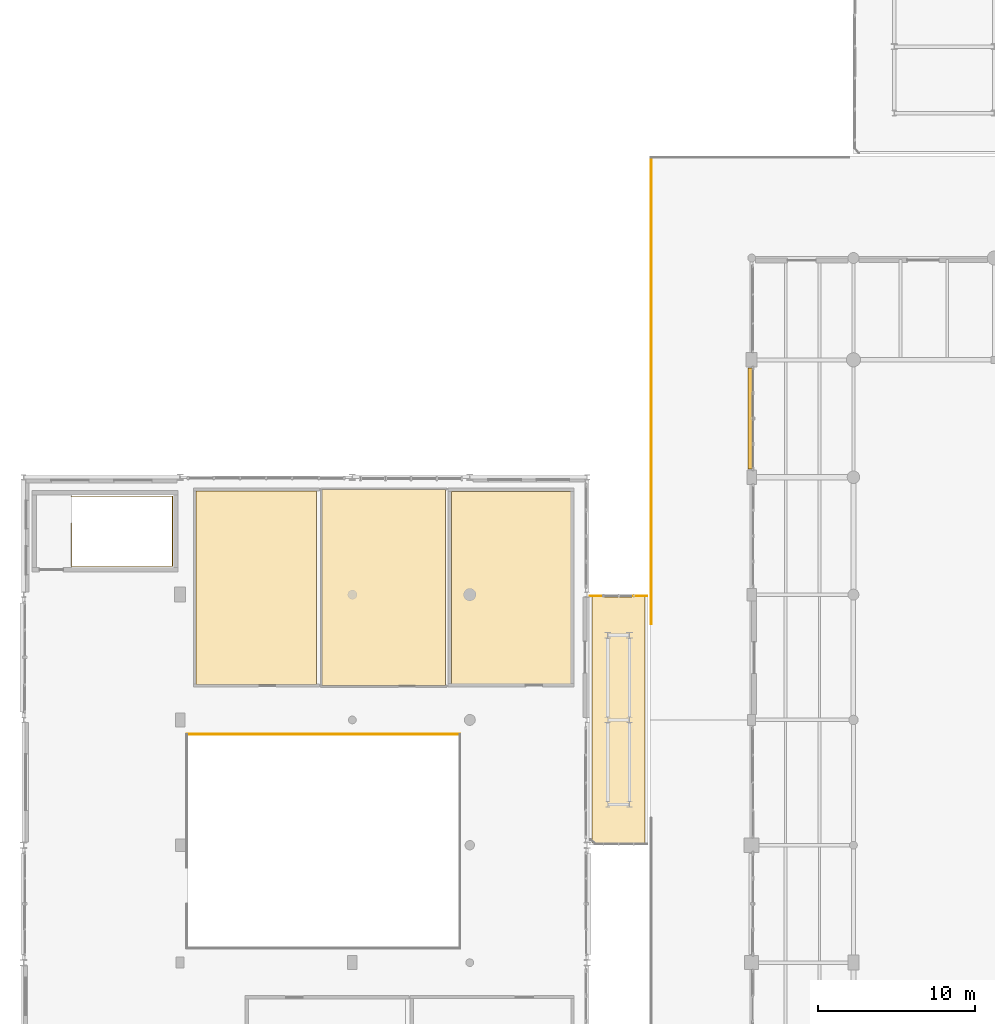
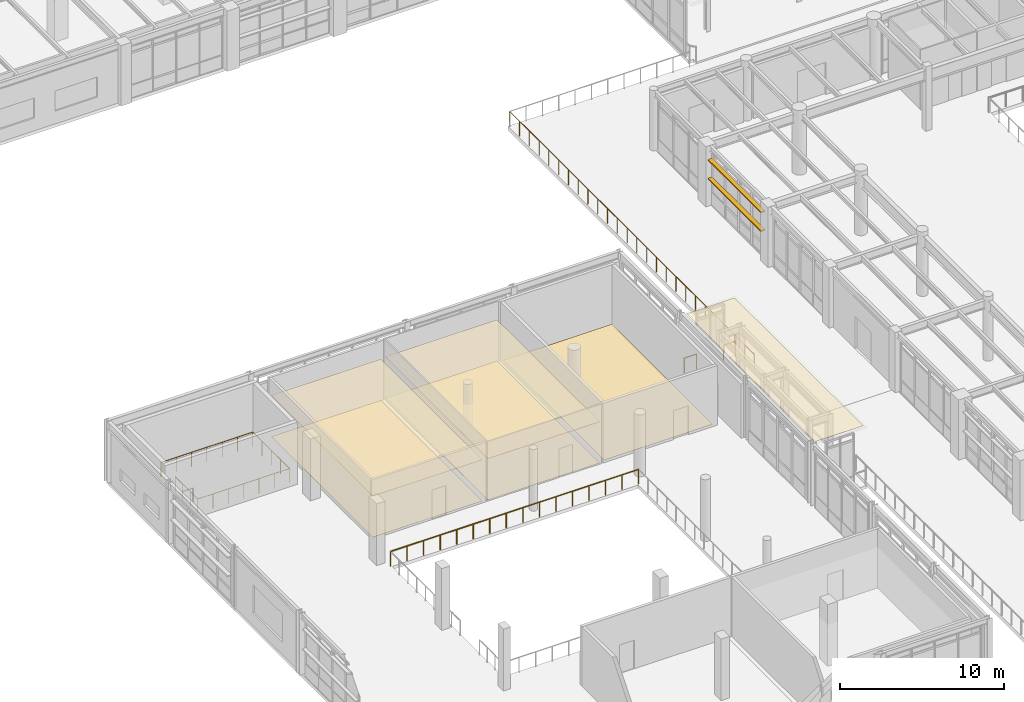
# One storey, part 191 of 200: 6 coverings, 5 railings, 2 shading devices.
"""IFC4 building model written with IfcOpenShell, lengths in metres."""

import ifcopenshell
import ifcopenshell.guid

model = None  # the IFC model being written
_history = None  # IfcOwnerHistory: only IFC2X3 demands one
_inside = {}  # id of a spatial element -> (the spatial element, [elements in it])
_under = {}  # id of a project, library or spatial element -> (it, [spatial elements below it])
_declared = {}  # id of a project -> (the project, [libraries it declares])
_typed = {}  # id of a type object -> (the type object, [elements of that type])
_made_of = {}  # id of a material, layer set ... -> (it, [elements and type objects made of it])


def new_model(schema):
    """Start an empty IFC model of exactly this schema.

    Asked for "IFC4X3", IfcOpenShell would pick the latest addendum, in which some entities
    have other attributes; the version numbers below select the first issue.
    IFC2X3 requires an IfcOwnerHistory on every rooted entity: one is made here for all.
    """
    global model, _history
    if schema == "IFC4X3":
        model = ifcopenshell.file(schema_version=(4, 3, 0, 0))
    else:
        model = ifcopenshell.file(schema=schema)
    _inside.clear()
    _under.clear()
    _declared.clear()
    _typed.clear()
    _made_of.clear()
    _history = None
    if model.schema == "IFC2X3":
        org = make("IfcOrganization", Name="unknown")
        user = make(
            "IfcPersonAndOrganization",
            ThePerson=make("IfcPerson", FamilyName="unknown"),
            TheOrganization=org,
        )
        app = make(
            "IfcApplication",
            ApplicationDeveloper=org,
            Version="unknown",
            ApplicationFullName="unknown",
            ApplicationIdentifier="unknown",
        )
        _history = make(
            "IfcOwnerHistory",
            OwningUser=user,
            OwningApplication=app,
            ChangeAction="ADDED",
            CreationDate=0,
        )
    return model


def make(cls, **values):
    """One entity of the class cls with the attributes given. An attribute that is None is left unset."""
    return model.create_entity(
        cls, **{name: value for name, value in values.items() if value is not None}
    )


def rooted(cls, **values):
    """An entity with a GlobalId (a new one), such as an element, a storey or a relation."""
    return make(cls, GlobalId=ifcopenshell.guid.new(), OwnerHistory=_history, **values)


def si_unit(unit_type, name, prefix=None):
    """IfcSIUnit, for example si_unit("LENGTHUNIT", "METRE", prefix="MILLI")."""
    return make("IfcSIUnit", UnitType=unit_type, Prefix=prefix, Name=name)


def assignment(units):
    """IfcUnitAssignment: the units of a project."""
    return None if units is None else make("IfcUnitAssignment", Units=units)


def point(xyz):
    """IfcCartesianPoint."""
    return None if xyz is None else make("IfcCartesianPoint", Coordinates=xyz)


def direction(xyz):
    """IfcDirection."""
    return None if xyz is None else make("IfcDirection", DirectionRatios=xyz)


def frame(location, z_axis=None, x_axis=None):
    """IfcAxis2Placement3D, a coordinate frame: its origin and axes. An axis left out is left unset."""
    return make(
        "IfcAxis2Placement3D",
        Location=point(location),
        Axis=direction(z_axis),
        RefDirection=direction(x_axis),
    )


def frame_2d(location, x_axis=None):
    """IfcAxis2Placement2D, a coordinate frame in the plane: its origin and x axis."""
    return make(
        "IfcAxis2Placement2D", Location=point(location), RefDirection=direction(x_axis)
    )


def origin():
    """The frame at (0, 0, 0) with its axes left unset."""
    return frame((0.0, 0.0, 0.0))


def origin_2d():
    """The frame at (0, 0) in the plane with its x axis left unset."""
    return frame_2d((0.0, 0.0))


def place(relative_to, where):
    """IfcLocalPlacement: puts the frame where relative to a parent placement (None: the world)."""
    return make(
        "IfcLocalPlacement", PlacementRelTo=relative_to, RelativePlacement=where
    )


def context(
    kind, dimensions, precision=None, world=None, true_north=None, identifier=None
):
    """IfcGeometricRepresentationContext, for example the 3D "Model" context."""
    return make(
        "IfcGeometricRepresentationContext",
        ContextIdentifier=identifier,
        ContextType=kind,
        CoordinateSpaceDimension=dimensions,
        Precision=precision,
        WorldCoordinateSystem=world,
        TrueNorth=true_north,
    )


def subcontext(parent, identifier, kind, view, scale=None):
    """IfcGeometricRepresentationSubContext, for example "Body" below "Model"."""
    return make(
        "IfcGeometricRepresentationSubContext",
        ContextIdentifier=identifier,
        ContextType=kind,
        ParentContext=parent,
        TargetScale=scale,
        TargetView=view,
    )


def project(units=None, contexts=None):
    """IfcProject with its units and contexts."""
    return rooted(
        "IfcProject",
        Name="project",
        RepresentationContexts=contexts,
        UnitsInContext=assignment(units),
    )


def spatial(cls, under=None, at=None, **own):
    """A site, building, storey or space (cls), placed at a placement, below another one or the project."""
    s = rooted(cls, ObjectPlacement=at, **own)
    if under is not None:
        _under.setdefault(under.id(), (under, []))[1].append(s)
    return s


def polyline(points):
    """IfcPolyline through the points."""
    return make("IfcPolyline", Points=[point(p) for p in points])


def profile(cls, at=None, kind="AREA", **sizes):
    """A parametric profile (cls). Its sizes go by their IFC names, for example OverallWidth=200.0."""
    return make(cls, ProfileType=kind, Position=at, **sizes)


def rectangle(**sizes):
    """IfcRectangleProfileDef."""
    return profile("IfcRectangleProfileDef", **sizes)


def circle(**sizes):
    """IfcCircleProfileDef."""
    return profile("IfcCircleProfileDef", **sizes)


def outline(outer, holes=None, kind="AREA"):
    """IfcArbitraryClosedProfileDef: a profile drawn as a closed curve; with holes, ...WithVoids."""
    if holes is None:
        return make("IfcArbitraryClosedProfileDef", ProfileType=kind, OuterCurve=outer)
    return make(
        "IfcArbitraryProfileDefWithVoids",
        ProfileType=kind,
        OuterCurve=outer,
        InnerCurves=holes,
    )


def extrude(swept, where, along, depth):
    """IfcExtrudedAreaSolid: the profile swept, set in the frame where, extruded along a direction by depth."""
    return make(
        "IfcExtrudedAreaSolid",
        SweptArea=swept,
        Position=where,
        ExtrudedDirection=direction(along),
        Depth=depth,
    )


def shape(context_of_items, identifier, shape_type, items):
    """IfcShapeRepresentation: the items that make up one representation, for example the "Body"."""
    return make(
        "IfcShapeRepresentation",
        ContextOfItems=context_of_items,
        RepresentationIdentifier=identifier,
        RepresentationType=shape_type,
        Items=items,
    )


def material(Name=None, Category=None):
    """IfcMaterial."""
    return make("IfcMaterial", Name=Name, Category=Category)


def layer(
    of_material, thickness, ventilated=None, Name=None, Category=None, Priority=None
):
    """IfcMaterialLayer: one layer of a wall or slab, of a material (None: an air gap)."""
    return make(
        "IfcMaterialLayer",
        Material=of_material,
        LayerThickness=thickness,
        IsVentilated=ventilated,
        Name=Name,
        Category=Category,
        Priority=Priority,
    )


def layer_set(layers, Name=None):
    """IfcMaterialLayerSet."""
    return make("IfcMaterialLayerSet", MaterialLayers=layers, LayerSetName=Name)


def made_of(thing, what):
    """Note that an element or type object is made of a material, layer set ...; save() writes the relation."""
    if what is not None:
        _made_of.setdefault(what.id(), (what, []))[1].append(thing)
    return thing


def type_object(cls, material=None, **own):
    """A type object (cls), such as IfcWallType, which elements share."""
    return made_of(rooted(cls, **own), material)


def element(
    cls,
    number,
    at=None,
    inside=None,
    cuts=None,
    type_object=None,
    material=None,
    context=None,
    identifier="Body",
    shape_type=None,
    held_by="IfcProductDefinitionShape",
    body=None,
    shapes=None,
    **own,
):
    """One element of the class cls, such as IfcWall. Its Tag is "e" and its number.

    at: its placement. inside: the storey or other place that contains it. cuts: it is an
    opening in that element (IfcRelVoidsElement). A single representation is given by context,
    identifier, shape_type and body (its items); several are given by shapes. held_by: the class
    of the entity that holds the representations. save() writes the other relations.
    """
    e = rooted(cls, Tag="e%d" % number, ObjectPlacement=at, **own)
    if body is not None:
        shapes = [shape(context, identifier, shape_type, body)]
    if shapes is not None:
        e.Representation = make(held_by, Representations=shapes)
    if inside is not None:
        _inside.setdefault(inside.id(), (inside, []))[1].append(e)
    if cuts is not None:
        rooted(
            "IfcRelVoidsElement", RelatingBuildingElement=cuts, RelatedOpeningElement=e
        )
    if type_object is not None:
        _typed.setdefault(type_object.id(), (type_object, []))[1].append(e)
    return made_of(e, material)


def aggregate(whole, parts):
    """IfcRelAggregates: a whole, such as a stair, and the parts it consists of."""
    return rooted("IfcRelAggregates", RelatingObject=whole, RelatedObjects=parts)


def save(model, path):
    """Write the relations noted so far, then the file.

    IfcRelAggregates (storeys below a building ...), IfcRelContainedInSpatialStructure (elements
    in a storey), IfcRelDefinesByType, IfcRelAssociatesMaterial and IfcRelDeclares: one each for
    every whole, place, type object, material and project.
    """
    for whole, parts in _under.values():
        aggregate(whole, parts)
    for where, things in _inside.values():
        rooted(
            "IfcRelContainedInSpatialStructure",
            RelatedElements=things,
            RelatingStructure=where,
        )
    for kind, things in _typed.values():
        rooted("IfcRelDefinesByType", RelatedObjects=things, RelatingType=kind)
    for what, things in _made_of.values():
        rooted("IfcRelAssociatesMaterial", RelatedObjects=things, RelatingMaterial=what)
    for by, libraries in _declared.values():
        rooted("IfcRelDeclares", RelatingContext=by, RelatedDefinitions=libraries)
    model.write(path)


model = new_model("IFC4")

# Units and contexts
model_context = context("Model", 3, precision=1e-05, world=origin(), true_north=direction((0.0, 1.0)))
body_context = subcontext(model_context, "Body", "Model", "MODEL_VIEW")
ifc_project = project(units=[si_unit("LENGTHUNIT", "METRE"), si_unit("AREAUNIT", "SQUARE_METRE"), si_unit("VOLUMEUNIT", "CUBIC_METRE"), si_unit("PLANEANGLEUNIT", "RADIAN"), si_unit("MASSUNIT", "GRAM", prefix="KILO"), si_unit("THERMODYNAMICTEMPERATUREUNIT", "KELVIN"), si_unit("POWERUNIT", "WATT")], contexts=[model_context])

# Site, building, storey
site_placement = place(None, origin())
site = spatial("IfcSite", under=ifc_project, at=site_placement, CompositionType="ELEMENT")
building_placement = place(site_placement, origin())
building = spatial("IfcBuilding", under=site, at=building_placement, Name="Tepalcoro Natatorium and Aquatics Centre", CompositionType="ELEMENT")
storey_placement = place(building_placement, frame((0.0, 0.0, 5.39990234375)))
storey = spatial("IfcBuildingStorey", under=building, at=storey_placement, Name="L01", CompositionType="ELEMENT", Elevation=5.39990234375)

# Railing
ifc_material_1 = material(Name="Marine-Grade Brushed Stainless Steel AISI 316L", Category="steel")
railing_type_1 = type_object("IfcRailingType", Name="BL_GLASS_1100", PredefinedType="BALUSTRADE", material=ifc_material_1)
railing_1_placement = place(storey_placement, frame((27.8798828125, 35.080078125, 0.0)))
element("IfcRailing", 1, at=railing_1_placement, inside=storey, type_object=railing_type_1, Name="V3 L01 Grand Civic Atrium Mezzanine Balustrade (N)", PredefinedType="BALUSTRADE", context=body_context, shape_type="SweptSolid", body=[
    extrude(circle(Radius=0.02392578125, at=origin_2d()), frame((0.0, 0.0, 1.09619140625), z_axis=(-1.0, 0.0, 0.0), x_axis=(0.0, -1.0, 0.0)), (0.0, 0.0, 1.0), 17.4599609375),
    extrude(circle(Radius=0.02099609375, at=origin_2d()), origin(), (0.0, 0.0, 1.0), 1.072021484375),
    extrude(circle(Radius=0.02099609375, at=origin_2d()), frame((-1.1640625, 0.0, 0.0)), (0.0, 0.0, 1.0), 1.072021484375),
    extrude(circle(Radius=0.02099609375, at=origin_2d()), frame((-2.327880859375, 0.0, 0.0)), (0.0, 0.0, 1.0), 1.072021484375),
    extrude(circle(Radius=0.02099609375, at=origin_2d()), frame((-3.491943359375, 0.0, 0.0)), (0.0, 0.0, 1.0), 1.072021484375),
    extrude(circle(Radius=0.02099609375, at=origin_2d()), frame((-4.656005859375, 0.0, 0.0)), (0.0, 0.0, 1.0), 1.072021484375),
    extrude(circle(Radius=0.02099609375, at=origin_2d()), frame((-5.820068359375, 0.0, 0.0)), (0.0, 0.0, 1.0), 1.072021484375),
    extrude(circle(Radius=0.02099609375, at=origin_2d()), frame((-6.98388671875, 0.0, 0.0)), (0.0, 0.0, 1.0), 1.072021484375),
    extrude(circle(Radius=0.02099609375, at=origin_2d()), frame((-8.14794921875, 0.0, 0.0)), (0.0, 0.0, 1.0), 1.072021484375),
    extrude(circle(Radius=0.02099609375, at=origin_2d()), frame((-9.31201171875, 0.0, 0.0)), (0.0, 0.0, 1.0), 1.072021484375),
    extrude(circle(Radius=0.02099609375, at=origin_2d()), frame((-10.47607421875, 0.0, 0.0)), (0.0, 0.0, 1.0), 1.072021484375),
    extrude(circle(Radius=0.02099609375, at=origin_2d()), frame((-11.639892578125, 0.0, 0.0)), (0.0, 0.0, 1.0), 1.072021484375),
    extrude(circle(Radius=0.02099609375, at=origin_2d()), frame((-12.803955078125, 0.0, 0.0)), (0.0, 0.0, 1.0), 1.072021484375),
    extrude(circle(Radius=0.02099609375, at=origin_2d()), frame((-13.968017578125, 0.0, 0.0)), (0.0, 0.0, 1.0), 1.072021484375),
    extrude(circle(Radius=0.02099609375, at=origin_2d()), frame((-15.132080078125, 0.0, 0.0)), (0.0, 0.0, 1.0), 1.072021484375),
    extrude(circle(Radius=0.02099609375, at=origin_2d()), frame((-16.2958984375, 0.0, 0.0)), (0.0, 0.0, 1.0), 1.072021484375),
    extrude(circle(Radius=0.02099609375, at=origin_2d()), frame((-17.4599609375, 0.0, 0.0)), (0.0, 0.0, 1.0), 1.072021484375),
])

# Coverings
ifc_material_2 = material(Name="Moisture-Resistant Acoustic Gypsum Drywall on Cold-Formed Metal Studs")
ifc_layer_1 = layer(ifc_material_2, 0.030029296875)
ifc_layer_set_1 = layer_set([ifc_layer_1], Name="Moisture-Resistant Acoustic Gypsum Drywall on Cold-Formed Metal Studs")
covering_type_1 = type_object("IfcCoveringType", Name="CL_GYPSUM_30", PredefinedType="CEILING", material=ifc_layer_set_1)
covering_1_placement = place(storey_placement, frame((0.0, 0.0, 3.050048828125)))
element("IfcCovering", 2, at=covering_1_placement, inside=storey, type_object=covering_type_1, Name="Civic Community Multi-Purpose Seminar Room Suspended Ceiling", PredefinedType="CEILING", context=body_context, shape_type="SweptSolid", body=[
    extrude(outline(polyline([(11.010009765625, 38.27001953125), (11.010009765625, 50.6298828125), (18.722900390625, 50.6298828125), (18.722900390625, 38.27001953125), (11.010009765625, 38.27001953125)])), origin(), (0.0, 0.0, 1.0), 0.030029296875),
])
ifc_material_3 = material(Name="Perforated Corrosion-Resistant Acoustic Aluminium Baffle Ceiling", Category="aluminium")
ifc_layer_2 = layer(ifc_material_3, 0.0400390625)
ifc_layer_set_2 = layer_set([ifc_layer_2], Name="Perforated Corrosion-Resistant Acoustic Aluminium Baffle Ceiling")
covering_type_2 = type_object("IfcCoveringType", Name="CL_PERF_AL_40", PredefinedType="CEILING", material=ifc_layer_set_2)
covering_2_placement = place(storey_placement, frame((0.0, 0.0, 3.050048828125)))
element("IfcCovering", 3, at=covering_2_placement, inside=storey, type_object=covering_type_2, Name="Members Lounge & Juice Bar Suspended Ceiling", PredefinedType="CEILING", context=body_context, shape_type="SweptSolid", body=[
    extrude(outline(polyline([(19.06298828125, 38.18994140625), (19.06298828125, 50.7099609375), (26.93701171875, 50.7099609375), (26.93701171875, 38.18994140625), (19.06298828125, 38.18994140625)])), origin(), (0.0, 0.0, 1.0), 0.0400390625),
])
ifc_material_4 = material(Name="Shock-Absorbing Vulcanised Athletic Rubber Flooring")
ifc_layer_3 = layer(ifc_material_4, 0.010009765625)
ifc_layer_set_3 = layer_set([ifc_layer_3], Name="Shock-Absorbing Vulcanised Athletic Rubber Flooring")
covering_type_3 = type_object("IfcCoveringType", Name="FL_CARPET_10", PredefinedType="FLOORING", material=ifc_layer_set_3)
covering_3_placement = place(storey_placement, origin())
element("IfcCovering", 4, at=covering_3_placement, inside=storey, type_object=covering_type_3, Name="Members Lounge & Juice Bar Floor Finish", PredefinedType="FLOORING", context=body_context, shape_type="SweptSolid", body=[
    extrude(outline(polyline([(19.06298828125, 38.18994140625), (19.06298828125, 50.7099609375), (26.93701171875, 50.7099609375), (26.93701171875, 38.18994140625), (19.06298828125, 38.18994140625)])), origin(), (0.0, 0.0, 1.0), 0.010009765625),
])
ifc_material_5 = material(Name="Chemical-Resistant Quartz-Broadcast Epoxy Flooring")
ifc_layer_4 = layer(ifc_material_5, 0.008056640625)
ifc_layer_set_4 = layer_set([ifc_layer_4], Name="Chemical-Resistant Quartz-Broadcast Epoxy Flooring")
covering_type_4 = type_object("IfcCoveringType", Name="FL_EPOXY_8", PredefinedType="FLOORING", material=ifc_layer_set_4)
covering_4_placement = place(storey_placement, origin())
element("IfcCovering", 5, at=covering_4_placement, inside=storey, type_object=covering_type_4, Name="Civic Community Multi-Purpose Seminar Room Floor Finish", PredefinedType="FLOORING", context=body_context, shape_type="SweptSolid", body=[
    extrude(outline(polyline([(11.010009765625, 38.27001953125), (11.010009765625, 50.6298828125), (18.722900390625, 50.6298828125), (18.722900390625, 38.27001953125), (11.010009765625, 38.27001953125)])), origin(), (0.0, 0.0, 1.0), 0.008056640625),
])
ifc_layer_5 = layer(ifc_material_4, 0.011962890625)
ifc_layer_set_5 = layer_set([ifc_layer_5], Name="Shock-Absorbing Vulcanised Athletic Rubber Flooring")
covering_type_5 = type_object("IfcCoveringType", Name="FL_RUBBER_12", PredefinedType="FLOORING", material=ifc_layer_set_5)
covering_5_placement = place(storey_placement, origin())
element("IfcCovering", 6, at=covering_5_placement, inside=storey, type_object=covering_type_5, Name="L01 Atrium Male/Female & Accessible Toilets Floor Finish", PredefinedType="FLOORING", context=body_context, shape_type="SweptSolid", body=[
    extrude(outline(polyline([(27.31689453125, 38.31005859375), (27.31689453125, 50.590087890625), (34.949951171875, 50.590087890625), (34.949951171875, 38.31005859375), (27.31689453125, 38.31005859375)])), origin(), (0.0, 0.0, 1.0), 0.01220703125),
])
ifc_material_6 = material(Name="Insulated Thermoplastic Polyolefin Standing-Seam Roof Assembly")
ifc_layer_6 = layer(ifc_material_6, 0.0029296875)
ifc_layer_set_6 = layer_set([ifc_layer_6], Name="Insulated Thermoplastic Polyolefin Standing-Seam Roof Assembly")
covering_type_6 = type_object("IfcCoveringType", Name="MEM_TPO_3", PredefinedType="MEMBRANE", material=ifc_layer_set_6)
covering_6_placement = place(storey_placement, frame((0.0, 0.0, 4.400146484375)))
element("IfcCovering", 7, at=covering_6_placement, inside=storey, type_object=covering_type_6, Name="West Foyer Seismic Link Roof Waterproofing Membrane", PredefinedType="MEMBRANE", context=body_context, shape_type="SweptSolid", body=[
    extrude(outline(polyline([(36.300048828125, 28.14990234375), (39.699951171875, 28.14990234375), (39.699951171875, 43.85009765625), (36.300048828125, 43.85009765625), (36.300048828125, 28.14990234375)])), origin(), (0.0, 0.0, 1.0), 0.0029296875),
])

# Railings
railing_type_2 = type_object("IfcRailingType", Name="RL_GLASS_1100", PredefinedType="GUARDRAIL", material=ifc_material_1)
for number, where, name in (
    (8, (36.18994140625, 43.919921875, 0.0), "West Foyer Seismic Link L01 Seismic Joint Edge Guard NW"),
    (9, (38.949951171875, 43.919921875, 0.0), "West Foyer Seismic Link L01 Seismic Joint Edge Guard NE"),
):
    element("IfcRailing", number, at=place(storey_placement, frame(where)), inside=storey, type_object=railing_type_2, Name=name, PredefinedType="GUARDRAIL", context=body_context, shape_type="SweptSolid", body=[
        extrude(circle(Radius=0.02392578125, at=origin_2d()), frame((0.0, 0.0, 1.09619140625), z_axis=(1.0, 0.0, 0.0), x_axis=(0.0, 1.0, 0.0)), (0.0, 0.0, 1.0), 0.860107421875),
        extrude(circle(Radius=0.02099609375, at=origin_2d()), origin(), (0.0, 0.0, 1.0), 1.072021484375),
        extrude(circle(Radius=0.02099609375, at=origin_2d()), frame((0.860107421875, 0.0, 0.0)), (0.0, 0.0, 1.0), 1.072021484375),
    ])
railing_type_3 = type_object("IfcRailingType", Name="RL_PERF_1100", PredefinedType="GUARDRAIL", material=ifc_material_1)
railing_2_placement = place(storey_placement, frame((40.080078125, 71.919921875, 0.0)))
element("IfcRailing", 10, at=railing_2_placement, inside=storey, type_object=railing_type_3, Name="V1 L01 Planted Terrace Perimeter Guardrail (W-1)", PredefinedType="GUARDRAIL", context=body_context, shape_type="SweptSolid", body=[
    extrude(circle(Radius=0.02392578125, at=origin_2d()), frame((0.0, 0.0, 1.11572265625), z_axis=(0.0, -1.0, 0.0), x_axis=(1.0, 0.0, 0.0)), (0.0, 0.0, 1.0), 29.7998046875),
    extrude(circle(Radius=0.02099609375, at=origin_2d()), origin(), (0.0, 0.0, 1.0), 1.091796875),
    extrude(circle(Radius=0.02099609375, at=origin_2d()), frame((0.0, -1.19189453125, 0.0)), (0.0, 0.0, 1.0), 1.091796875),
    extrude(circle(Radius=0.02099609375, at=origin_2d()), frame((0.0, -2.384033203125, 0.0)), (0.0, 0.0, 1.0), 1.091796875),
    extrude(circle(Radius=0.02099609375, at=origin_2d()), frame((0.0, -3.575927734375, 0.0)), (0.0, 0.0, 1.0), 1.091796875),
    extrude(circle(Radius=0.02099609375, at=origin_2d()), frame((0.0, -4.76806640625, 0.0)), (0.0, 0.0, 1.0), 1.091796875),
    extrude(circle(Radius=0.02099609375, at=origin_2d()), frame((0.0, -5.9599609375, 0.0)), (0.0, 0.0, 1.0), 1.091796875),
    extrude(circle(Radius=0.02099609375, at=origin_2d()), frame((0.0, -7.15185546875, 0.0)), (0.0, 0.0, 1.0), 1.091796875),
    extrude(circle(Radius=0.02099609375, at=origin_2d()), frame((0.0, -8.343994140625, 0.0)), (0.0, 0.0, 1.0), 1.091796875),
    extrude(circle(Radius=0.02099609375, at=origin_2d()), frame((0.0, -9.535888671875, 0.0)), (0.0, 0.0, 1.0), 1.091796875),
    extrude(circle(Radius=0.02099609375, at=origin_2d()), frame((0.0, -10.72802734375, 0.0)), (0.0, 0.0, 1.0), 1.091796875),
    extrude(circle(Radius=0.02099609375, at=origin_2d()), frame((0.0, -11.919921875, 0.0)), (0.0, 0.0, 1.0), 1.091796875),
    extrude(circle(Radius=0.02099609375, at=origin_2d()), frame((0.0, -13.11181640625, 0.0)), (0.0, 0.0, 1.0), 1.091796875),
    extrude(circle(Radius=0.02099609375, at=origin_2d()), frame((0.0, -14.303955078125, 0.0)), (0.0, 0.0, 1.0), 1.091796875),
    extrude(circle(Radius=0.02099609375, at=origin_2d()), frame((0.0, -15.495849609375, 0.0)), (0.0, 0.0, 1.0), 1.091796875),
    extrude(circle(Radius=0.02099609375, at=origin_2d()), frame((0.0, -16.68798828125, 0.0)), (0.0, 0.0, 1.0), 1.091796875),
    extrude(circle(Radius=0.02099609375, at=origin_2d()), frame((0.0, -17.8798828125, 0.0)), (0.0, 0.0, 1.0), 1.091796875),
    extrude(circle(Radius=0.02099609375, at=origin_2d()), frame((0.0, -19.07177734375, 0.0)), (0.0, 0.0, 1.0), 1.091796875),
    extrude(circle(Radius=0.02099609375, at=origin_2d()), frame((0.0, -20.263916015625, 0.0)), (0.0, 0.0, 1.0), 1.091796875),
    extrude(circle(Radius=0.02099609375, at=origin_2d()), frame((0.0, -21.455810546875, 0.0)), (0.0, 0.0, 1.0), 1.091796875),
    extrude(circle(Radius=0.02099609375, at=origin_2d()), frame((0.0, -22.64794921875, 0.0)), (0.0, 0.0, 1.0), 1.091796875),
    extrude(circle(Radius=0.02099609375, at=origin_2d()), frame((0.0, -23.83984375, 0.0)), (0.0, 0.0, 1.0), 1.091796875),
    extrude(circle(Radius=0.02099609375, at=origin_2d()), frame((0.0, -25.03173828125, 0.0)), (0.0, 0.0, 1.0), 1.091796875),
    extrude(circle(Radius=0.02099609375, at=origin_2d()), frame((0.0, -26.223876953125, 0.0)), (0.0, 0.0, 1.0), 1.091796875),
    extrude(circle(Radius=0.02099609375, at=origin_2d()), frame((0.0, -27.415771484375, 0.0)), (0.0, 0.0, 1.0), 1.091796875),
    extrude(circle(Radius=0.02099609375, at=origin_2d()), frame((0.0, -28.60791015625, 0.0)), (0.0, 0.0, 1.0), 1.091796875),
    extrude(circle(Radius=0.02099609375, at=origin_2d()), frame((0.0, -29.7998046875, 0.0)), (0.0, 0.0, 1.0), 1.091796875),
])
railing_type_4 = type_object("IfcRailingType", Name="RL_SS_1100", PredefinedType="GUARDRAIL", material=ifc_material_1)
railing_3_placement = place(storey_placement, frame((3.0400390625, 48.550048828125, 0.0)))
element("IfcRailing", 11, at=railing_3_placement, inside=storey, type_object=railing_type_4, Name="ST06 Top Floor Stairwell Guardrail (L01)", PredefinedType="GUARDRAIL", context=body_context, shape_type="SweptSolid", body=[
    extrude(circle(Radius=0.02392578125, at=origin_2d()), frame((0.0, 0.0, 1.076171875), z_axis=(0.0, -1.0, 0.0), x_axis=(1.0, 0.0, 0.0)), (0.0, 0.0, 1.0), 2.739990234375),
    extrude(circle(Radius=0.02392578125, at=origin_2d()), frame((0.0, -2.739990234375, 1.076171875), z_axis=(1.0, 0.0, 0.0), x_axis=(0.0, 1.0, 0.0)), (0.0, 0.0, 1.0), 6.469970703125),
    extrude(circle(Radius=0.02392578125, at=origin_2d()), frame((6.469970703125, -2.739990234375, 1.076171875), z_axis=(0.0, 1.0, 0.0), x_axis=(-1.0, 0.0, 0.0)), (0.0, 0.0, 1.0), 4.47998046875),
    extrude(circle(Radius=0.02392578125, at=origin_2d()), frame((6.469970703125, 1.739990234375, 1.076171875), z_axis=(-1.0, 0.0, 0.0), x_axis=(0.0, -1.0, 0.0)), (0.0, 0.0, 1.0), 6.469970703125),
    extrude(circle(Radius=0.02099609375, at=origin_2d()), origin(), (0.0, 0.0, 1.0), 1.052001953125),
    extrude(circle(Radius=0.02099609375, at=origin_2d()), frame((0.0, -0.913330078125, 0.0)), (0.0, 0.0, 1.0), 1.052001953125),
    extrude(circle(Radius=0.02099609375, at=origin_2d()), frame((0.0, -1.82666015625, 0.0)), (0.0, 0.0, 1.0), 1.052001953125),
    extrude(circle(Radius=0.02099609375, at=origin_2d()), frame((0.0, -2.739990234375, 0.0)), (0.0, 0.0, 1.0), 1.052001953125),
    extrude(circle(Radius=0.02099609375, at=origin_2d()), frame((1.078369140625, -2.739990234375, 0.0)), (0.0, 0.0, 1.0), 1.052001953125),
    extrude(circle(Radius=0.02099609375, at=origin_2d()), frame((2.15673828125, -2.739990234375, 0.0)), (0.0, 0.0, 1.0), 1.052001953125),
    extrude(circle(Radius=0.02099609375, at=origin_2d()), frame((3.23486328125, -2.739990234375, 0.0)), (0.0, 0.0, 1.0), 1.052001953125),
    extrude(circle(Radius=0.02099609375, at=origin_2d()), frame((4.313232421875, -2.739990234375, 0.0)), (0.0, 0.0, 1.0), 1.052001953125),
    extrude(circle(Radius=0.02099609375, at=origin_2d()), frame((5.3916015625, -2.739990234375, 0.0)), (0.0, 0.0, 1.0), 1.052001953125),
    extrude(circle(Radius=0.02099609375, at=origin_2d()), frame((6.469970703125, -2.739990234375, 0.0)), (0.0, 0.0, 1.0), 1.052001953125),
    extrude(circle(Radius=0.02099609375, at=origin_2d()), frame((6.469970703125, -1.6201171875, 0.0)), (0.0, 0.0, 1.0), 1.052001953125),
    extrude(circle(Radius=0.02099609375, at=origin_2d()), frame((6.469970703125, -0.5, 0.0)), (0.0, 0.0, 1.0), 1.052001953125),
    extrude(circle(Radius=0.02099609375, at=origin_2d()), frame((6.469970703125, 0.6201171875, 0.0)), (0.0, 0.0, 1.0), 1.052001953125),
    extrude(circle(Radius=0.02099609375, at=origin_2d()), frame((6.469970703125, 1.739990234375, 0.0)), (0.0, 0.0, 1.0), 1.052001953125),
    extrude(circle(Radius=0.02099609375, at=origin_2d()), frame((5.3916015625, 1.739990234375, 0.0)), (0.0, 0.0, 1.0), 1.052001953125),
    extrude(circle(Radius=0.02099609375, at=origin_2d()), frame((4.313232421875, 1.739990234375, 0.0)), (0.0, 0.0, 1.0), 1.052001953125),
    extrude(circle(Radius=0.02099609375, at=origin_2d()), frame((3.23486328125, 1.739990234375, 0.0)), (0.0, 0.0, 1.0), 1.052001953125),
    extrude(circle(Radius=0.02099609375, at=origin_2d()), frame((2.15673828125, 1.739990234375, 0.0)), (0.0, 0.0, 1.0), 1.052001953125),
    extrude(circle(Radius=0.02099609375, at=origin_2d()), frame((1.078369140625, 1.739990234375, 0.0)), (0.0, 0.0, 1.0), 1.052001953125),
    extrude(circle(Radius=0.02099609375, at=origin_2d()), frame((0.0, 1.739990234375, 0.0)), (0.0, 0.0, 1.0), 1.052001953125),
])

# Shading devices
ifc_material_7 = material(Name="Bronze-Anodised Extruded Aluminium Alloy EN AW-6063 T6", Category="aluminium")
shading_device_type = type_object("IfcShadingDeviceType", Name="SHD_FIN_BRONZE", PredefinedType="SHUTTER", material=ifc_material_7)
for number, where, z_axis, x_axis, name in (
    (12, (46.4150390625, 55.25, 2.0517578125), (0.0, 0.0, 1.0), (1.0, 0.0, 0.0), "Solar Shading Brise-Soleil SHD_FIN_BRONZE"),
    (13, (46.4150390625, 55.25, 3.447021484375), (0.0, 0.0, 1.0), (1.0, 0.0, 0.0), "Solar Shading Brise-Soleil SHD_FIN_BRONZE"),
):
    element("IfcShadingDevice", number, at=place(storey_placement, frame(where, z_axis=z_axis, x_axis=x_axis)), inside=storey, type_object=shading_device_type, Name=name, PredefinedType="SHUTTER", context=body_context, shape_type="SweptSolid", body=[
        extrude(rectangle(XDim=0.300048828125, YDim=6.4599609375, at=origin_2d()), origin(), (0.0, 0.0, 1.0), 0.080078125),
    ])

save(model, "model.ifc")
